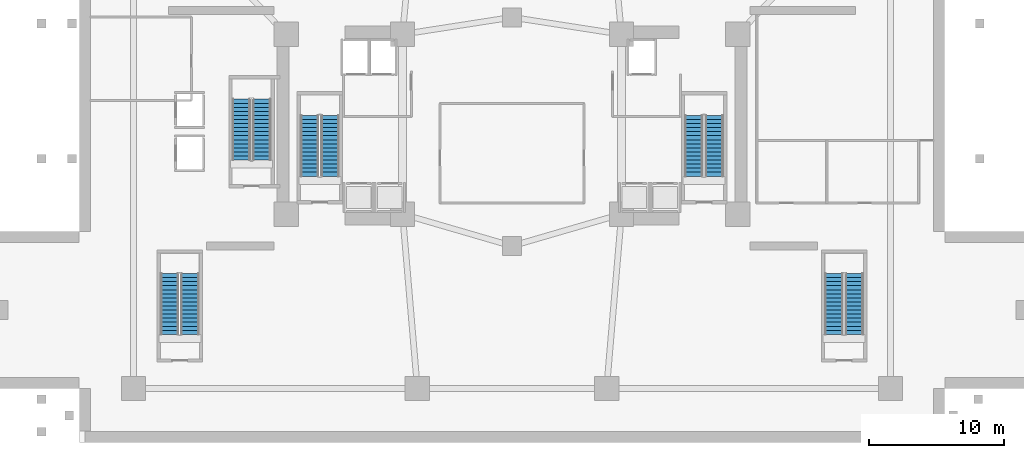
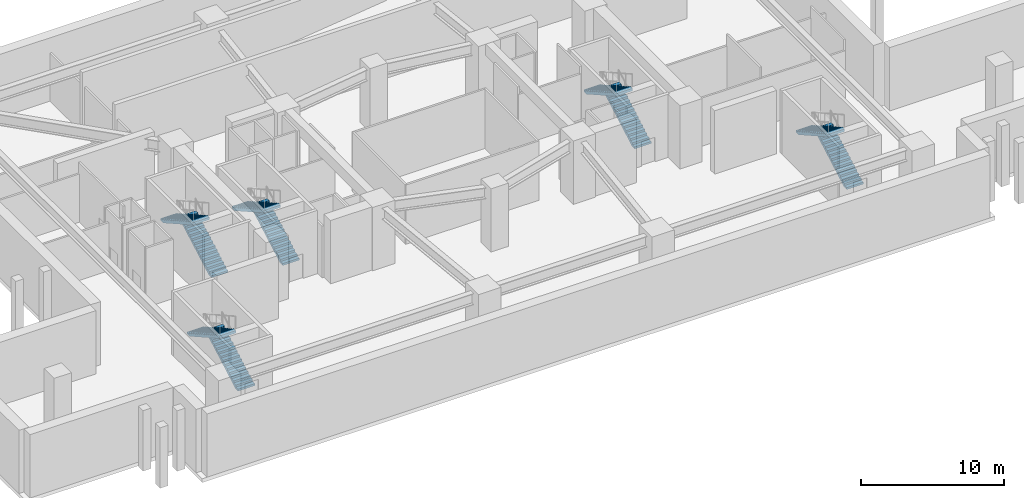
# One storey, part 6 of 9: 10 stair flights, 5 elements without a shape of their own.
"""IFC4 building model written with IfcOpenShell, lengths in metres."""

from ifc_helpers import new_model, si_unit, direction, frame, origin, place, context, subcontext, project, spatial, polyline, outline, extrude, material, type_object, element, aggregate, save


model = new_model("IFC4")

# Units and contexts
model_context = context("Model", 3, precision=1e-05, world=origin(), true_north=direction((0.0, 1.0)))
body_context = subcontext(model_context, "Body", "Model", "MODEL_VIEW")
ifc_project = project(units=[si_unit("LENGTHUNIT", "METRE"), si_unit("AREAUNIT", "SQUARE_METRE"), si_unit("VOLUMEUNIT", "CUBIC_METRE"), si_unit("PLANEANGLEUNIT", "RADIAN"), si_unit("MASSUNIT", "GRAM", prefix="KILO")], contexts=[model_context])

# Site, building, storey
site_placement = place(None, origin())
site = spatial("IfcSite", under=ifc_project, at=site_placement, CompositionType="ELEMENT")
building_placement = place(site_placement, origin())
building = spatial("IfcBuilding", under=site, at=building_placement, Name="Solvane Sanctuary Tower", CompositionType="ELEMENT")
storey_placement = place(building_placement, frame((0.0, 0.0, -5.39990234375)))
storey = spatial("IfcBuildingStorey", under=building, at=storey_placement, Name="B01", CompositionType="ELEMENT", Elevation=-5.39990234375)

# Stair, stair flights
ifc_material_1 = material(Name="Concrete C50/60", Category="concrete")
stair_type_1 = type_object("IfcStairType", Name="Stair ST-METRO", PredefinedType="HALF_TURN_STAIR", material=ifc_material_1)
stair_1_placement = place(storey_placement, origin())
stair_1 = element("IfcStair", 1, at=stair_1_placement, inside=storey, type_object=stair_type_1, Name="B01 Exit Stair ST-5 Metro East Stair", PredefinedType="HALF_TURN_STAIR")
stair_flight_type_1 = type_object("IfcStairFlightType", Name="StairFlight SF-METRO", PredefinedType="STRAIGHT", material=ifc_material_1)
stair_flight_1_placement = place(storey_placement, frame((57.324951171875, 8.0, 0.0), z_axis=(0.0, 0.0, 1.0), x_axis=(0.0, 1.0, 0.0)))
stair_flight_1 = element("IfcStairFlight", 2, at=stair_flight_1_placement, type_object=stair_flight_type_1, Name="ST-5 flight 1", NumberOfRisers=16, NumberOfTreads=15, PredefinedType="STRAIGHT", RiserHeight=0.16875, TreadLength=0.3, context=body_context, shape_type="SweptSolid", body=[
    extrude(outline(polyline([(0.0, 0.0), (0.0, 0.168701171875), (0.300048828125, 0.168701171875), (0.300048828125, 0.33740234375), (0.60009765625, 0.33740234375), (0.60009765625, 0.50634765625), (0.89990234375, 0.50634765625), (0.89990234375, 0.675048828125), (1.199951171875, 0.675048828125), (1.199951171875, 0.84375), (1.5, 0.84375), (1.5, 1.012451171875), (1.800048828125, 1.012451171875), (1.800048828125, 1.18115234375), (2.10009765625, 1.18115234375), (2.10009765625, 1.35009765625), (2.39990234375, 1.35009765625), (2.39990234375, 1.518798828125), (2.699951171875, 1.518798828125), (2.699951171875, 1.6875), (3.0, 1.6875), (3.0, 1.856201171875), (3.300048828125, 1.856201171875), (3.300048828125, 2.02490234375), (3.60009765625, 2.02490234375), (3.60009765625, 2.19384765625), (3.89990234375, 2.19384765625), (3.89990234375, 2.362548828125), (4.199951171875, 2.362548828125), (4.199951171875, 2.53125), (4.5, 2.53125), (4.5, 2.699951171875), (4.5, 2.32470703125), (0.366943359375, 0.0), (0.0, 0.0)])), frame((0.0, 0.675048828125, 0.0), z_axis=(0.0, -1.0, 0.0), x_axis=(1.0, 0.0, 0.0)), (0.0, 0.0, 1.0), 1.35009765625),
])
stair_flight_2_placement = place(storey_placement, frame((55.81494140625, 12.5, 2.699951171875), z_axis=(0.0, 0.0, 1.0), x_axis=(0.0, -1.0, 0.0)))
stair_flight_2 = element("IfcStairFlight", 3, at=stair_flight_2_placement, type_object=stair_flight_type_1, Name="ST-5 flight 2", NumberOfRisers=16, NumberOfTreads=15, PredefinedType="STRAIGHT", RiserHeight=0.16875, TreadLength=0.3, context=body_context, shape_type="SweptSolid", body=[
    extrude(outline(polyline([(0.0, 0.0), (0.0, 0.168701171875), (0.300048828125, 0.168701171875), (0.300048828125, 0.33740234375), (0.60009765625, 0.33740234375), (0.60009765625, 0.50634765625), (0.89990234375, 0.50634765625), (0.89990234375, 0.675048828125), (1.199951171875, 0.675048828125), (1.199951171875, 0.84375), (1.5, 0.84375), (1.5, 1.012451171875), (1.800048828125, 1.012451171875), (1.800048828125, 1.18115234375), (2.10009765625, 1.18115234375), (2.10009765625, 1.35009765625), (2.39990234375, 1.35009765625), (2.39990234375, 1.518798828125), (2.699951171875, 1.518798828125), (2.699951171875, 1.6875), (3.0, 1.6875), (3.0, 1.856201171875), (3.300048828125, 1.856201171875), (3.300048828125, 2.02490234375), (3.60009765625, 2.02490234375), (3.60009765625, 2.19384765625), (3.89990234375, 2.19384765625), (3.89990234375, 2.362548828125), (4.199951171875, 2.362548828125), (4.199951171875, 2.53125), (4.5, 2.53125), (4.5, 2.699951171875), (4.5, 2.32470703125), (0.366943359375, 0.0), (0.0, 0.0)])), frame((0.0, 0.675048828125, 0.0), z_axis=(0.0, -1.0, 0.0), x_axis=(1.0, 0.0, 0.0)), (0.0, 0.0, 1.0), 1.35009765625),
])
aggregate(stair_1, [stair_flight_1, stair_flight_2])

stair_type_2 = type_object("IfcStairType", Name="Stair ST-POD", PredefinedType="HALF_TURN_STAIR", material=ifc_material_1)
stair_2_placement = place(storey_placement, origin())
stair_2 = element("IfcStair", 4, at=stair_2_placement, inside=storey, type_object=stair_type_2, Name="B01 Exit Stair ST-4 Metro West Stair", PredefinedType="HALF_TURN_STAIR")
stair_flight_type_2 = type_object("IfcStairFlightType", Name="StairFlight SF-POD", PredefinedType="STRAIGHT", material=ifc_material_1)
stair_flight_3_placement = place(storey_placement, frame((8.18505859375, 8.0, 0.0), z_axis=(0.0, 0.0, 1.0), x_axis=(0.0, 1.0, 0.0)))
stair_flight_3 = element("IfcStairFlight", 5, at=stair_flight_3_placement, type_object=stair_flight_type_2, Name="ST-4 flight 1", NumberOfRisers=16, NumberOfTreads=15, PredefinedType="STRAIGHT", RiserHeight=0.16875, TreadLength=0.3, context=body_context, shape_type="SweptSolid", body=[
    extrude(outline(polyline([(0.0, 0.0), (0.0, 0.168701171875), (0.300048828125, 0.168701171875), (0.300048828125, 0.33740234375), (0.60009765625, 0.33740234375), (0.60009765625, 0.50634765625), (0.89990234375, 0.50634765625), (0.89990234375, 0.675048828125), (1.199951171875, 0.675048828125), (1.199951171875, 0.84375), (1.5, 0.84375), (1.5, 1.012451171875), (1.800048828125, 1.012451171875), (1.800048828125, 1.18115234375), (2.10009765625, 1.18115234375), (2.10009765625, 1.35009765625), (2.39990234375, 1.35009765625), (2.39990234375, 1.518798828125), (2.699951171875, 1.518798828125), (2.699951171875, 1.6875), (3.0, 1.6875), (3.0, 1.856201171875), (3.300048828125, 1.856201171875), (3.300048828125, 2.02490234375), (3.60009765625, 2.02490234375), (3.60009765625, 2.19384765625), (3.89990234375, 2.19384765625), (3.89990234375, 2.362548828125), (4.199951171875, 2.362548828125), (4.199951171875, 2.53125), (4.5, 2.53125), (4.5, 2.699951171875), (4.5, 2.32470703125), (0.366943359375, 0.0), (0.0, 0.0)])), frame((0.0, 0.675048828125, 0.0), z_axis=(0.0, -1.0, 0.0), x_axis=(1.0, 0.0, 0.0)), (0.0, 0.0, 1.0), 1.35009765625),
])
stair_flight_4_placement = place(storey_placement, frame((6.675048828125, 12.5, 2.699951171875), z_axis=(0.0, 0.0, 1.0), x_axis=(0.0, -1.0, 0.0)))
stair_flight_4 = element("IfcStairFlight", 6, at=stair_flight_4_placement, type_object=stair_flight_type_2, Name="ST-4 flight 2", NumberOfRisers=16, NumberOfTreads=15, PredefinedType="STRAIGHT", RiserHeight=0.16875, TreadLength=0.3, context=body_context, shape_type="SweptSolid", body=[
    extrude(outline(polyline([(0.0, 0.0), (0.0, 0.168701171875), (0.300048828125, 0.168701171875), (0.300048828125, 0.33740234375), (0.60009765625, 0.33740234375), (0.60009765625, 0.50634765625), (0.89990234375, 0.50634765625), (0.89990234375, 0.675048828125), (1.199951171875, 0.675048828125), (1.199951171875, 0.84375), (1.5, 0.84375), (1.5, 1.012451171875), (1.800048828125, 1.012451171875), (1.800048828125, 1.18115234375), (2.10009765625, 1.18115234375), (2.10009765625, 1.35009765625), (2.39990234375, 1.35009765625), (2.39990234375, 1.518798828125), (2.699951171875, 1.518798828125), (2.699951171875, 1.6875), (3.0, 1.6875), (3.0, 1.856201171875), (3.300048828125, 1.856201171875), (3.300048828125, 2.02490234375), (3.60009765625, 2.02490234375), (3.60009765625, 2.19384765625), (3.89990234375, 2.19384765625), (3.89990234375, 2.362548828125), (4.199951171875, 2.362548828125), (4.199951171875, 2.53125), (4.5, 2.53125), (4.5, 2.699951171875), (4.5, 2.32470703125), (0.366943359375, 0.0), (0.0, 0.0)])), frame((0.0, 0.675048828125, 0.0), z_axis=(0.0, -1.0, 0.0), x_axis=(1.0, 0.0, 0.0)), (0.0, 0.0, 1.0), 1.35009765625),
])
aggregate(stair_2, [stair_flight_3, stair_flight_4])

ifc_material_2 = material(Name="Concrete C45/55", Category="concrete")
stair_type_3 = type_object("IfcStairType", Name="Stair ST-TOW", PredefinedType="HALF_TURN_STAIR", material=ifc_material_2)
stair_3_placement = place(storey_placement, origin())
stair_3 = element("IfcStair", 7, at=stair_3_placement, inside=storey, type_object=stair_type_3, Name="B01 Exit Stair ST-1 West Core", PredefinedType="HALF_TURN_STAIR")
stair_flight_type_3 = type_object("IfcStairFlightType", Name="StairFlight SF-TOW", PredefinedType="STRAIGHT", material=ifc_material_2)
stair_flight_5_placement = place(storey_placement, frame((18.544921875, 19.699951171875, 0.0), z_axis=(0.0, 0.0, 1.0), x_axis=(0.0, 1.0, 0.0)))
stair_flight_5 = element("IfcStairFlight", 8, at=stair_flight_5_placement, type_object=stair_flight_type_3, Name="ST-1 flight 1", NumberOfRisers=16, NumberOfTreads=15, PredefinedType="STRAIGHT", RiserHeight=0.16875, TreadLength=0.3, context=body_context, shape_type="SweptSolid", body=[
    extrude(outline(polyline([(0.0, 0.0), (0.0, 0.168701171875), (0.300048828125, 0.168701171875), (0.300048828125, 0.33740234375), (0.60009765625, 0.33740234375), (0.60009765625, 0.50634765625), (0.89990234375, 0.50634765625), (0.89990234375, 0.675048828125), (1.199951171875, 0.675048828125), (1.199951171875, 0.84375), (1.5, 0.84375), (1.5, 1.012451171875), (1.800048828125, 1.012451171875), (1.800048828125, 1.18115234375), (2.10009765625, 1.18115234375), (2.10009765625, 1.35009765625), (2.39990234375, 1.35009765625), (2.39990234375, 1.518798828125), (2.699951171875, 1.518798828125), (2.699951171875, 1.6875), (3.0, 1.6875), (3.0, 1.856201171875), (3.300048828125, 1.856201171875), (3.300048828125, 2.02490234375), (3.60009765625, 2.02490234375), (3.60009765625, 2.19384765625), (3.89990234375, 2.19384765625), (3.89990234375, 2.362548828125), (4.199951171875, 2.362548828125), (4.199951171875, 2.53125), (4.5, 2.53125), (4.5, 2.699951171875), (4.5, 2.32470703125), (0.366943359375, 0.0), (0.0, 0.0)])), frame((0.0, 0.675048828125, 0.0), z_axis=(0.0, -1.0, 0.0), x_axis=(1.0, 0.0, 0.0)), (0.0, 0.0, 1.0), 1.35009765625),
])
stair_flight_6_placement = place(storey_placement, frame((17.034912109375, 24.199951171875, 2.699951171875), z_axis=(0.0, 0.0, 1.0), x_axis=(0.0, -1.0, 0.0)))
stair_flight_6 = element("IfcStairFlight", 9, at=stair_flight_6_placement, type_object=stair_flight_type_3, Name="ST-1 flight 2", NumberOfRisers=16, NumberOfTreads=15, PredefinedType="STRAIGHT", RiserHeight=0.16875, TreadLength=0.3, context=body_context, shape_type="SweptSolid", body=[
    extrude(outline(polyline([(0.0, 0.0), (0.0, 0.168701171875), (0.300048828125, 0.168701171875), (0.300048828125, 0.33740234375), (0.60009765625, 0.33740234375), (0.60009765625, 0.50634765625), (0.89990234375, 0.50634765625), (0.89990234375, 0.675048828125), (1.199951171875, 0.675048828125), (1.199951171875, 0.84375), (1.5, 0.84375), (1.5, 1.012451171875), (1.800048828125, 1.012451171875), (1.800048828125, 1.18115234375), (2.10009765625, 1.18115234375), (2.10009765625, 1.35009765625), (2.39990234375, 1.35009765625), (2.39990234375, 1.518798828125), (2.699951171875, 1.518798828125), (2.699951171875, 1.6875), (3.0, 1.6875), (3.0, 1.856201171875), (3.300048828125, 1.856201171875), (3.300048828125, 2.02490234375), (3.60009765625, 2.02490234375), (3.60009765625, 2.19384765625), (3.89990234375, 2.19384765625), (3.89990234375, 2.362548828125), (4.199951171875, 2.362548828125), (4.199951171875, 2.53125), (4.5, 2.53125), (4.5, 2.699951171875), (4.5, 2.32470703125), (0.366943359375, 0.0), (0.0, 0.0)])), frame((0.0, 0.675048828125, 0.0), z_axis=(0.0, -1.0, 0.0), x_axis=(1.0, 0.0, 0.0)), (0.0, 0.0, 1.0), 1.35009765625),
])
aggregate(stair_3, [stair_flight_5, stair_flight_6])

stair_4_placement = place(storey_placement, origin())
stair_4 = element("IfcStair", 10, at=stair_4_placement, inside=storey, type_object=stair_type_3, Name="B01 Exit Stair ST-2 East Core", PredefinedType="HALF_TURN_STAIR")
stair_flight_7_placement = place(storey_placement, frame((46.965087890625, 19.699951171875, 0.0), z_axis=(0.0, 0.0, 1.0), x_axis=(0.0, 1.0, 0.0)))
stair_flight_7 = element("IfcStairFlight", 11, at=stair_flight_7_placement, type_object=stair_flight_type_3, Name="ST-2 flight 1", NumberOfRisers=16, NumberOfTreads=15, PredefinedType="STRAIGHT", RiserHeight=0.16875, TreadLength=0.3, context=body_context, shape_type="SweptSolid", body=[
    extrude(outline(polyline([(0.0, 0.0), (0.0, 0.168701171875), (0.300048828125, 0.168701171875), (0.300048828125, 0.33740234375), (0.60009765625, 0.33740234375), (0.60009765625, 0.50634765625), (0.89990234375, 0.50634765625), (0.89990234375, 0.675048828125), (1.199951171875, 0.675048828125), (1.199951171875, 0.84375), (1.5, 0.84375), (1.5, 1.012451171875), (1.800048828125, 1.012451171875), (1.800048828125, 1.18115234375), (2.10009765625, 1.18115234375), (2.10009765625, 1.35009765625), (2.39990234375, 1.35009765625), (2.39990234375, 1.518798828125), (2.699951171875, 1.518798828125), (2.699951171875, 1.6875), (3.0, 1.6875), (3.0, 1.856201171875), (3.300048828125, 1.856201171875), (3.300048828125, 2.02490234375), (3.60009765625, 2.02490234375), (3.60009765625, 2.19384765625), (3.89990234375, 2.19384765625), (3.89990234375, 2.362548828125), (4.199951171875, 2.362548828125), (4.199951171875, 2.53125), (4.5, 2.53125), (4.5, 2.699951171875), (4.5, 2.32470703125), (0.366943359375, 0.0), (0.0, 0.0)])), frame((0.0, 0.675048828125, 0.0), z_axis=(0.0, -1.0, 0.0), x_axis=(1.0, 0.0, 0.0)), (0.0, 0.0, 1.0), 1.35009765625),
])
stair_flight_8_placement = place(storey_placement, frame((45.455078125, 24.199951171875, 2.699951171875), z_axis=(0.0, 0.0, 1.0), x_axis=(0.0, -1.0, 0.0)))
stair_flight_8 = element("IfcStairFlight", 12, at=stair_flight_8_placement, type_object=stair_flight_type_3, Name="ST-2 flight 2", NumberOfRisers=16, NumberOfTreads=15, PredefinedType="STRAIGHT", RiserHeight=0.16875, TreadLength=0.3, context=body_context, shape_type="SweptSolid", body=[
    extrude(outline(polyline([(0.0, 0.0), (0.0, 0.168701171875), (0.300048828125, 0.168701171875), (0.300048828125, 0.33740234375), (0.60009765625, 0.33740234375), (0.60009765625, 0.50634765625), (0.89990234375, 0.50634765625), (0.89990234375, 0.675048828125), (1.199951171875, 0.675048828125), (1.199951171875, 0.84375), (1.5, 0.84375), (1.5, 1.012451171875), (1.800048828125, 1.012451171875), (1.800048828125, 1.18115234375), (2.10009765625, 1.18115234375), (2.10009765625, 1.35009765625), (2.39990234375, 1.35009765625), (2.39990234375, 1.518798828125), (2.699951171875, 1.518798828125), (2.699951171875, 1.6875), (3.0, 1.6875), (3.0, 1.856201171875), (3.300048828125, 1.856201171875), (3.300048828125, 2.02490234375), (3.60009765625, 2.02490234375), (3.60009765625, 2.19384765625), (3.89990234375, 2.19384765625), (3.89990234375, 2.362548828125), (4.199951171875, 2.362548828125), (4.199951171875, 2.53125), (4.5, 2.53125), (4.5, 2.699951171875), (4.5, 2.32470703125), (0.366943359375, 0.0), (0.0, 0.0)])), frame((0.0, 0.675048828125, 0.0), z_axis=(0.0, -1.0, 0.0), x_axis=(1.0, 0.0, 0.0)), (0.0, 0.0, 1.0), 1.35009765625),
])
aggregate(stair_4, [stair_flight_7, stair_flight_8])

stair_5_placement = place(storey_placement, origin())
stair_5 = element("IfcStair", 13, at=stair_5_placement, inside=storey, type_object=stair_type_3, Name="B01 Exit Stair ST-3 Pilgrim Tower Stair", PredefinedType="HALF_TURN_STAIR")
stair_flight_9_placement = place(storey_placement, frame((13.485107421875, 20.89990234375, 0.0), z_axis=(0.0, 0.0, 1.0), x_axis=(0.0, 1.0, 0.0)))
stair_flight_9 = element("IfcStairFlight", 14, at=stair_flight_9_placement, type_object=stair_flight_type_3, Name="ST-3 flight 1", NumberOfRisers=16, NumberOfTreads=15, PredefinedType="STRAIGHT", RiserHeight=0.16875, TreadLength=0.3, context=body_context, shape_type="SweptSolid", body=[
    extrude(outline(polyline([(0.0, 0.0), (0.0, 0.168701171875), (0.300048828125, 0.168701171875), (0.300048828125, 0.33740234375), (0.60009765625, 0.33740234375), (0.60009765625, 0.50634765625), (0.89990234375, 0.50634765625), (0.89990234375, 0.675048828125), (1.199951171875, 0.675048828125), (1.199951171875, 0.84375), (1.5, 0.84375), (1.5, 1.012451171875), (1.800048828125, 1.012451171875), (1.800048828125, 1.18115234375), (2.10009765625, 1.18115234375), (2.10009765625, 1.35009765625), (2.39990234375, 1.35009765625), (2.39990234375, 1.518798828125), (2.699951171875, 1.518798828125), (2.699951171875, 1.6875), (3.0, 1.6875), (3.0, 1.856201171875), (3.300048828125, 1.856201171875), (3.300048828125, 2.02490234375), (3.60009765625, 2.02490234375), (3.60009765625, 2.19384765625), (3.89990234375, 2.19384765625), (3.89990234375, 2.362548828125), (4.199951171875, 2.362548828125), (4.199951171875, 2.53125), (4.5, 2.53125), (4.5, 2.699951171875), (4.5, 2.32470703125), (0.366943359375, 0.0), (0.0, 0.0)])), frame((0.0, 0.675048828125, 0.0), z_axis=(0.0, -1.0, 0.0), x_axis=(1.0, 0.0, 0.0)), (0.0, 0.0, 1.0), 1.35009765625),
])
stair_flight_10_placement = place(storey_placement, frame((11.97509765625, 25.39990234375, 2.699951171875), z_axis=(0.0, 0.0, 1.0), x_axis=(0.0, -1.0, 0.0)))
stair_flight_10 = element("IfcStairFlight", 15, at=stair_flight_10_placement, type_object=stair_flight_type_3, Name="ST-3 flight 2", NumberOfRisers=16, NumberOfTreads=15, PredefinedType="STRAIGHT", RiserHeight=0.16875, TreadLength=0.3, context=body_context, shape_type="SweptSolid", body=[
    extrude(outline(polyline([(0.0, 0.0), (0.0, 0.168701171875), (0.300048828125, 0.168701171875), (0.300048828125, 0.33740234375), (0.60009765625, 0.33740234375), (0.60009765625, 0.50634765625), (0.89990234375, 0.50634765625), (0.89990234375, 0.675048828125), (1.199951171875, 0.675048828125), (1.199951171875, 0.84375), (1.5, 0.84375), (1.5, 1.012451171875), (1.800048828125, 1.012451171875), (1.800048828125, 1.18115234375), (2.10009765625, 1.18115234375), (2.10009765625, 1.35009765625), (2.39990234375, 1.35009765625), (2.39990234375, 1.518798828125), (2.699951171875, 1.518798828125), (2.699951171875, 1.6875), (3.0, 1.6875), (3.0, 1.856201171875), (3.300048828125, 1.856201171875), (3.300048828125, 2.02490234375), (3.60009765625, 2.02490234375), (3.60009765625, 2.19384765625), (3.89990234375, 2.19384765625), (3.89990234375, 2.362548828125), (4.199951171875, 2.362548828125), (4.199951171875, 2.53125), (4.5, 2.53125), (4.5, 2.699951171875), (4.5, 2.32470703125), (0.366943359375, 0.0), (0.0, 0.0)])), frame((0.0, 0.675048828125, 0.0), z_axis=(0.0, -1.0, 0.0), x_axis=(1.0, 0.0, 0.0)), (0.0, 0.0, 1.0), 1.35009765625),
])
aggregate(stair_5, [stair_flight_9, stair_flight_10])

save(model, "model.ifc")
